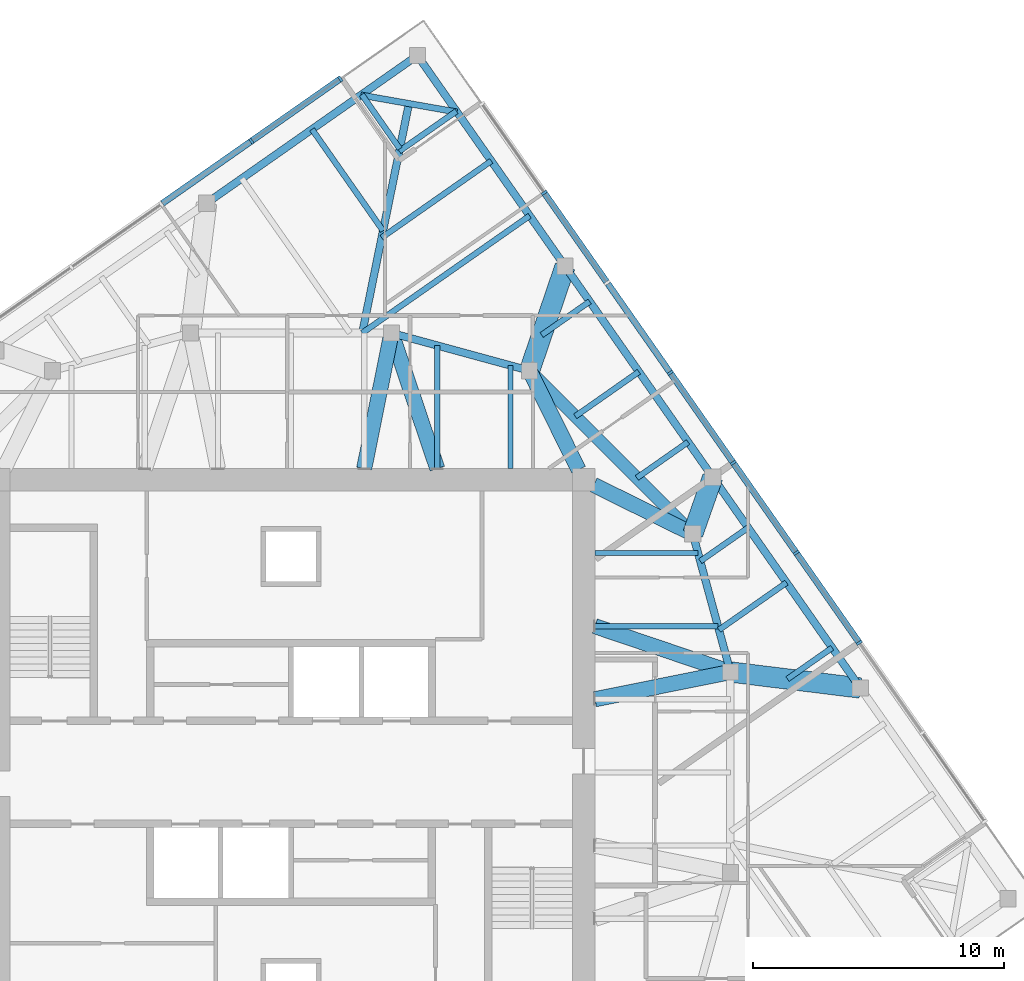
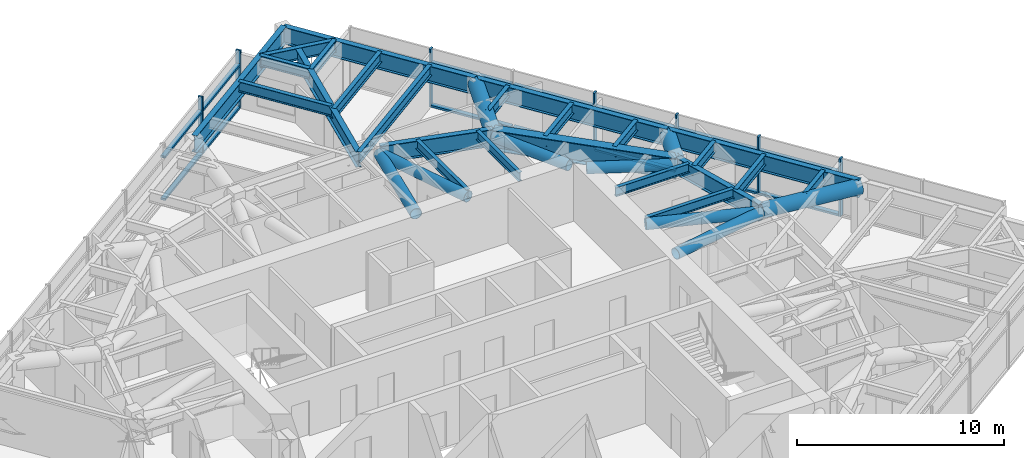
# One storey, part 6 of 15: 30 members, 24 beams, 2 elements without a shape of their own.
"""IFC4 building model written with IfcOpenShell, lengths in metres."""

import ifcopenshell
import ifcopenshell.guid

model = None  # the IFC model being written
_history = None  # IfcOwnerHistory: only IFC2X3 demands one
_inside = {}  # id of a spatial element -> (the spatial element, [elements in it])
_under = {}  # id of a project, library or spatial element -> (it, [spatial elements below it])
_declared = {}  # id of a project -> (the project, [libraries it declares])
_typed = {}  # id of a type object -> (the type object, [elements of that type])
_made_of = {}  # id of a material, layer set ... -> (it, [elements and type objects made of it])


def new_model(schema):
    """Start an empty IFC model of exactly this schema.

    Asked for "IFC4X3", IfcOpenShell would pick the latest addendum, in which some entities
    have other attributes; the version numbers below select the first issue.
    IFC2X3 requires an IfcOwnerHistory on every rooted entity: one is made here for all.
    """
    global model, _history
    if schema == "IFC4X3":
        model = ifcopenshell.file(schema_version=(4, 3, 0, 0))
    else:
        model = ifcopenshell.file(schema=schema)
    _inside.clear()
    _under.clear()
    _declared.clear()
    _typed.clear()
    _made_of.clear()
    _history = None
    if model.schema == "IFC2X3":
        org = make("IfcOrganization", Name="unknown")
        user = make(
            "IfcPersonAndOrganization",
            ThePerson=make("IfcPerson", FamilyName="unknown"),
            TheOrganization=org,
        )
        app = make(
            "IfcApplication",
            ApplicationDeveloper=org,
            Version="unknown",
            ApplicationFullName="unknown",
            ApplicationIdentifier="unknown",
        )
        _history = make(
            "IfcOwnerHistory",
            OwningUser=user,
            OwningApplication=app,
            ChangeAction="ADDED",
            CreationDate=0,
        )
    return model


def make(cls, **values):
    """One entity of the class cls with the attributes given. An attribute that is None is left unset."""
    return model.create_entity(
        cls, **{name: value for name, value in values.items() if value is not None}
    )


def rooted(cls, **values):
    """An entity with a GlobalId (a new one), such as an element, a storey or a relation."""
    return make(cls, GlobalId=ifcopenshell.guid.new(), OwnerHistory=_history, **values)


def si_unit(unit_type, name, prefix=None):
    """IfcSIUnit, for example si_unit("LENGTHUNIT", "METRE", prefix="MILLI")."""
    return make("IfcSIUnit", UnitType=unit_type, Prefix=prefix, Name=name)


def assignment(units):
    """IfcUnitAssignment: the units of a project."""
    return None if units is None else make("IfcUnitAssignment", Units=units)


def point(xyz):
    """IfcCartesianPoint."""
    return None if xyz is None else make("IfcCartesianPoint", Coordinates=xyz)


def direction(xyz):
    """IfcDirection."""
    return None if xyz is None else make("IfcDirection", DirectionRatios=xyz)


def frame(location, z_axis=None, x_axis=None):
    """IfcAxis2Placement3D, a coordinate frame: its origin and axes. An axis left out is left unset."""
    return make(
        "IfcAxis2Placement3D",
        Location=point(location),
        Axis=direction(z_axis),
        RefDirection=direction(x_axis),
    )


def frame_2d(location, x_axis=None):
    """IfcAxis2Placement2D, a coordinate frame in the plane: its origin and x axis."""
    return make(
        "IfcAxis2Placement2D", Location=point(location), RefDirection=direction(x_axis)
    )


def origin():
    """The frame at (0, 0, 0) with its axes left unset."""
    return frame((0.0, 0.0, 0.0))


def origin_2d():
    """The frame at (0, 0) in the plane with its x axis left unset."""
    return frame_2d((0.0, 0.0))


def place(relative_to, where):
    """IfcLocalPlacement: puts the frame where relative to a parent placement (None: the world)."""
    return make(
        "IfcLocalPlacement", PlacementRelTo=relative_to, RelativePlacement=where
    )


def context(
    kind, dimensions, precision=None, world=None, true_north=None, identifier=None
):
    """IfcGeometricRepresentationContext, for example the 3D "Model" context."""
    return make(
        "IfcGeometricRepresentationContext",
        ContextIdentifier=identifier,
        ContextType=kind,
        CoordinateSpaceDimension=dimensions,
        Precision=precision,
        WorldCoordinateSystem=world,
        TrueNorth=true_north,
    )


def subcontext(parent, identifier, kind, view, scale=None):
    """IfcGeometricRepresentationSubContext, for example "Body" below "Model"."""
    return make(
        "IfcGeometricRepresentationSubContext",
        ContextIdentifier=identifier,
        ContextType=kind,
        ParentContext=parent,
        TargetScale=scale,
        TargetView=view,
    )


def project(units=None, contexts=None):
    """IfcProject with its units and contexts."""
    return rooted(
        "IfcProject",
        Name="project",
        RepresentationContexts=contexts,
        UnitsInContext=assignment(units),
    )


def spatial(cls, under=None, at=None, **own):
    """A site, building, storey or space (cls), placed at a placement, below another one or the project."""
    s = rooted(cls, ObjectPlacement=at, **own)
    if under is not None:
        _under.setdefault(under.id(), (under, []))[1].append(s)
    return s


def profile(cls, at=None, kind="AREA", **sizes):
    """A parametric profile (cls). Its sizes go by their IFC names, for example OverallWidth=200.0."""
    return make(cls, ProfileType=kind, Position=at, **sizes)


def rectangle(**sizes):
    """IfcRectangleProfileDef."""
    return profile("IfcRectangleProfileDef", **sizes)


def hollow_circle(**sizes):
    """IfcCircleHollowProfileDef."""
    return profile("IfcCircleHollowProfileDef", **sizes)


def i_section(**sizes):
    """IfcIShapeProfileDef."""
    return profile("IfcIShapeProfileDef", **sizes)


def extrude(swept, where, along, depth):
    """IfcExtrudedAreaSolid: the profile swept, set in the frame where, extruded along a direction by depth."""
    return make(
        "IfcExtrudedAreaSolid",
        SweptArea=swept,
        Position=where,
        ExtrudedDirection=direction(along),
        Depth=depth,
    )


def shape(context_of_items, identifier, shape_type, items):
    """IfcShapeRepresentation: the items that make up one representation, for example the "Body"."""
    return make(
        "IfcShapeRepresentation",
        ContextOfItems=context_of_items,
        RepresentationIdentifier=identifier,
        RepresentationType=shape_type,
        Items=items,
    )


def material(Name=None, Category=None):
    """IfcMaterial."""
    return make("IfcMaterial", Name=Name, Category=Category)


def material_profile(
    of_material, cross_section, Name=None, Category=None, Priority=None
):
    """IfcMaterialProfile: a cross section and its material."""
    return make(
        "IfcMaterialProfile",
        Name=Name,
        Material=of_material,
        Profile=cross_section,
        Priority=Priority,
        Category=Category,
    )


def profile_set(profiles, Name=None, composite=None):
    """IfcMaterialProfileSet."""
    return make(
        "IfcMaterialProfileSet",
        Name=Name,
        MaterialProfiles=profiles,
        CompositeProfile=composite,
    )


def made_of(thing, what):
    """Note that an element or type object is made of a material, layer set ...; save() writes the relation."""
    if what is not None:
        _made_of.setdefault(what.id(), (what, []))[1].append(thing)
    return thing


def type_object(cls, material=None, **own):
    """A type object (cls), such as IfcWallType, which elements share."""
    return made_of(rooted(cls, **own), material)


def element(
    cls,
    number,
    at=None,
    inside=None,
    cuts=None,
    type_object=None,
    material=None,
    context=None,
    identifier="Body",
    shape_type=None,
    held_by="IfcProductDefinitionShape",
    body=None,
    shapes=None,
    **own,
):
    """One element of the class cls, such as IfcWall. Its Tag is "e" and its number.

    at: its placement. inside: the storey or other place that contains it. cuts: it is an
    opening in that element (IfcRelVoidsElement). A single representation is given by context,
    identifier, shape_type and body (its items); several are given by shapes. held_by: the class
    of the entity that holds the representations. save() writes the other relations.
    """
    e = rooted(cls, Tag="e%d" % number, ObjectPlacement=at, **own)
    if body is not None:
        shapes = [shape(context, identifier, shape_type, body)]
    if shapes is not None:
        e.Representation = make(held_by, Representations=shapes)
    if inside is not None:
        _inside.setdefault(inside.id(), (inside, []))[1].append(e)
    if cuts is not None:
        rooted(
            "IfcRelVoidsElement", RelatingBuildingElement=cuts, RelatedOpeningElement=e
        )
    if type_object is not None:
        _typed.setdefault(type_object.id(), (type_object, []))[1].append(e)
    return made_of(e, material)


def aggregate(whole, parts):
    """IfcRelAggregates: a whole, such as a stair, and the parts it consists of."""
    return rooted("IfcRelAggregates", RelatingObject=whole, RelatedObjects=parts)


def save(model, path):
    """Write the relations noted so far, then the file.

    IfcRelAggregates (storeys below a building ...), IfcRelContainedInSpatialStructure (elements
    in a storey), IfcRelDefinesByType, IfcRelAssociatesMaterial and IfcRelDeclares: one each for
    every whole, place, type object, material and project.
    """
    for whole, parts in _under.values():
        aggregate(whole, parts)
    for where, things in _inside.values():
        rooted(
            "IfcRelContainedInSpatialStructure",
            RelatedElements=things,
            RelatingStructure=where,
        )
    for kind, things in _typed.values():
        rooted("IfcRelDefinesByType", RelatedObjects=things, RelatingType=kind)
    for what, things in _made_of.values():
        rooted("IfcRelAssociatesMaterial", RelatedObjects=things, RelatingMaterial=what)
    for by, libraries in _declared.values():
        rooted("IfcRelDeclares", RelatingContext=by, RelatedDefinitions=libraries)
    model.write(path)


model = new_model("IFC4")

# Units and contexts
model_context = context("Model", 3, precision=1e-05, world=origin(), true_north=direction((0.0, 1.0)))
body_context = subcontext(model_context, "Body", "Model", "MODEL_VIEW")
ifc_project = project(units=[si_unit("LENGTHUNIT", "METRE"), si_unit("AREAUNIT", "SQUARE_METRE"), si_unit("VOLUMEUNIT", "CUBIC_METRE"), si_unit("PLANEANGLEUNIT", "RADIAN"), si_unit("MASSUNIT", "GRAM", prefix="KILO")], contexts=[model_context])

# Site, building, storey
site_placement = place(None, origin())
site = spatial("IfcSite", under=ifc_project, at=site_placement, CompositionType="ELEMENT")
building_placement = place(site_placement, origin())
building = spatial("IfcBuilding", under=site, at=building_placement, Name="Torsade Residences", CompositionType="ELEMENT")
storey_placement = place(building_placement, frame((0.0, 0.0, 264.199951171875)))
storey = spatial("IfcBuildingStorey", under=building, at=storey_placement, Name="L73", CompositionType="ELEMENT", Elevation=264.199951171875)

# Beams
ifc_material_1 = material(Name="Steel grade 300", Category="steel")
ifc_material_profile_1 = material_profile(ifc_material_1, i_section(OverallWidth=0.300048828125, OverallDepth=0.89990234375, WebThickness=0.011962890625, FlangeThickness=0.02490234375, at=origin_2d()), Name="900WB175")
ifc_profile_set_1 = profile_set([ifc_material_profile_1], Name="Steel grade 300")
beam_type_1 = type_object("IfcBeamType", Name="CORNER GIRDER 900WB175", PredefinedType="BEAM", material=ifc_profile_set_1)
beam_1_placement = place(storey_placement, frame((44.696533203125, 56.635986328125, 2.75), z_axis=(-0.199584461589, -0.979880626756, 0.0), x_axis=(0.979880626756, -0.199584461589, 0.0)))
element("IfcBeam", 1, at=beam_1_placement, inside=storey, type_object=beam_type_1, Name="Corner girder 09 L74", PredefinedType="BEAM", context=body_context, shape_type="SweptSolid", body=[
    extrude(i_section(OverallWidth=0.300048828125, OverallDepth=0.89990234375, WebThickness=0.011962890625, FlangeThickness=0.02490234375, at=origin_2d()), origin(), (0.0, 0.0, 1.0), 9.323486328125),
])
ifc_material_2 = material(Name="Steel grade 300", Category="steel")
ifc_material_profile_2 = material_profile(ifc_material_2, i_section(OverallWidth=0.25, OverallDepth=0.699951171875, WebThickness=0.010009765625, FlangeThickness=0.02001953125, at=origin_2d()), Name="700WB130")
ifc_profile_set_2 = profile_set([ifc_material_profile_2], Name="Steel grade 300")
beam_type_2 = type_object("IfcBeamType", Name="CORNER TRIMMER 700WB130", PredefinedType="BEAM", material=ifc_profile_set_2)
beam_2_placement = place(storey_placement, frame((42.78173828125, 56.9736328125, 2.85009765625), z_axis=(0.984808196894, -0.173645660267, 0.0), x_axis=(0.173645660267, 0.984808196894, 0.0)))
element("IfcBeam", 2, at=beam_2_placement, inside=storey, type_object=beam_type_2, Name="Corner trimmer 09 L74", PredefinedType="BEAM", context=body_context, shape_type="SweptSolid", body=[
    extrude(i_section(OverallWidth=0.25, OverallDepth=0.699951171875, WebThickness=0.010009765625, FlangeThickness=0.02001953125, at=origin_2d()), origin(), (0.0, 0.0, 1.0), 3.888916015625),
])

# Curtain wall, members
ifc_material_3 = material(Name="Aluminium and glass", Category="aluminium")
curtain_wall_type = type_object("IfcCurtainWallType", Name="FRITTED GLASS CURTAIN WALL HIGH ZONE", PredefinedType="NOTDEFINED", material=ifc_material_3)
curtain_wall_1_placement = place(storey_placement, origin())
curtain_wall_1 = element("IfcCurtainWall", 3, at=curtain_wall_1_placement, inside=storey, type_object=curtain_wall_type, Name="Curtain wall L73 face 4", PredefinedType="NOTDEFINED")
ifc_material_4 = material(Name="Aluminium mullion", Category="aluminium")
ifc_material_profile_3 = material_profile(ifc_material_4, rectangle(XDim=0.25, YDim=0.10009765625, at=origin_2d()), Name="HIGH ZONE CURTAIN WALL MULLION 250x100")
ifc_profile_set_3 = profile_set([ifc_material_profile_3], Name="Aluminium mullion")
member_type_1 = type_object("IfcMemberType", Name="HIGH ZONE CURTAIN WALL MULLION 250x100", PredefinedType="MULLION", material=ifc_profile_set_3)
member_1_placement = place(storey_placement, frame((62.630615234375, 35.164306640625, 0.0), z_axis=(0.0, 0.0, 1.0), x_axis=(-0.819152029353, -0.573576457682, 0.0)))
member_1 = element("IfcMember", 4, at=member_1_placement, type_object=member_type_1, Name="Mullion 3", PredefinedType="MULLION", context=body_context, shape_type="SweptSolid", body=[
    extrude(rectangle(XDim=0.25, YDim=0.10009765625, at=origin_2d()), origin(), (0.0, 0.0, 1.0), 3.400146484375),
])
member_2_placement = place(storey_placement, frame((60.12109375, 38.748046875, 0.0), z_axis=(0.0, 0.0, 1.0), x_axis=(-0.819152029353, -0.573576457682, 0.0)))
member_2 = element("IfcMember", 5, at=member_2_placement, type_object=member_type_1, Name="Mullion 4", PredefinedType="MULLION", context=body_context, shape_type="SweptSolid", body=[
    extrude(rectangle(XDim=0.25, YDim=0.10009765625, at=origin_2d()), origin(), (0.0, 0.0, 1.0), 3.400146484375),
])
member_3_placement = place(storey_placement, frame((57.61181640625, 42.331787109375, 0.0), z_axis=(0.0, 0.0, 1.0), x_axis=(-0.819152029353, -0.573576457682, 0.0)))
member_3 = element("IfcMember", 6, at=member_3_placement, type_object=member_type_1, Name="Mullion 5", PredefinedType="MULLION", context=body_context, shape_type="SweptSolid", body=[
    extrude(rectangle(XDim=0.25, YDim=0.10009765625, at=origin_2d()), origin(), (0.0, 0.0, 1.0), 3.400146484375),
])
member_4_placement = place(storey_placement, frame((55.102294921875, 45.915771484375, 0.0), z_axis=(0.0, 0.0, 1.0), x_axis=(-0.819152029353, -0.573576457682, 0.0)))
member_4 = element("IfcMember", 7, at=member_4_placement, type_object=member_type_1, Name="Mullion 6", PredefinedType="MULLION", context=body_context, shape_type="SweptSolid", body=[
    extrude(rectangle(XDim=0.25, YDim=0.10009765625, at=origin_2d()), origin(), (0.0, 0.0, 1.0), 3.400146484375),
])
member_5_placement = place(storey_placement, frame((50.08349609375, 53.083251953125, 0.0), z_axis=(0.0, 0.0, 1.0), x_axis=(-0.819152029353, -0.573576457682, 0.0)))
member_5 = element("IfcMember", 8, at=member_5_placement, type_object=member_type_1, Name="Mullion 8", PredefinedType="MULLION", context=body_context, shape_type="SweptSolid", body=[
    extrude(rectangle(XDim=0.25, YDim=0.10009765625, at=origin_2d()), origin(), (0.0, 0.0, 1.0), 3.400146484375),
])

curtain_wall_2_placement = place(storey_placement, origin())
curtain_wall_2 = element("IfcCurtainWall", 9, at=curtain_wall_2_placement, inside=storey, type_object=curtain_wall_type, Name="Curtain wall L73 face 7", PredefinedType="NOTDEFINED")
member_6_placement = place(storey_placement, frame((41.96240234375, 57.62060546875, 0.0), z_axis=(0.0, 0.0, 1.0), x_axis=(0.573576457682, -0.819152029353, 0.0)))
member_6 = element("IfcMember", 10, at=member_6_placement, type_object=member_type_1, Name="Mullion 1", PredefinedType="MULLION", context=body_context, shape_type="SweptSolid", body=[
    extrude(rectangle(XDim=0.25, YDim=0.10009765625, at=origin_2d()), origin(), (0.0, 0.0, 1.0), 3.400146484375),
])
member_7_placement = place(storey_placement, frame((38.41943359375, 55.139892578125, 0.0), z_axis=(0.0, 0.0, 1.0), x_axis=(0.573576457682, -0.819152029353, 0.0)))
member_7 = element("IfcMember", 11, at=member_7_placement, type_object=member_type_1, Name="Mullion 2", PredefinedType="MULLION", context=body_context, shape_type="SweptSolid", body=[
    extrude(rectangle(XDim=0.25, YDim=0.10009765625, at=origin_2d()), origin(), (0.0, 0.0, 1.0), 3.400146484375),
])

# Member
ifc_material_5 = material(Name="Aluminium transom", Category="aluminium")
ifc_material_profile_4 = material_profile(ifc_material_5, rectangle(XDim=0.25, YDim=0.1201171875, at=origin_2d()), Name="HIGH ZONE CURTAIN WALL TRANSOM 250x120")
ifc_profile_set_4 = profile_set([ifc_material_profile_4], Name="Aluminium transom")
member_type_2 = type_object("IfcMemberType", Name="HIGH ZONE CURTAIN WALL TRANSOM 250x120", PredefinedType="USERDEFINED", material=ifc_profile_set_4)
member_8_placement = place(storey_placement, frame((62.601806640625, 35.205322265625, 0.06005859375), z_axis=(-0.573573496219, 0.819154102984, 0.0), x_axis=(-0.819154102984, -0.573573496219, 0.0)))
member_8 = element("IfcMember", 12, at=member_8_placement, type_object=member_type_2, Name="Transom 3.1", ObjectType="TRANSOM", PredefinedType="USERDEFINED", context=body_context, shape_type="SweptSolid", body=[
    extrude(rectangle(XDim=0.25, YDim=0.1201171875, at=origin_2d()), origin(), (0.0, 0.0, 1.0), 4.27490234375),
])

member_9_placement = place(storey_placement, frame((62.601806640625, 35.205322265625, 2.56005859375), z_axis=(-0.573573496219, 0.819154102984, 0.0), x_axis=(-0.819154102984, -0.573573496219, 0.0)))
member_9 = element("IfcMember", 13, at=member_9_placement, type_object=member_type_2, Name="Transom 3.2", ObjectType="TRANSOM", PredefinedType="USERDEFINED", context=body_context, shape_type="SweptSolid", body=[
    extrude(rectangle(XDim=0.25, YDim=0.1201171875, at=origin_2d()), origin(), (0.0, 0.0, 1.0), 4.27490234375),
])

member_10_placement = place(storey_placement, frame((60.092529296875, 38.7890625, 0.06005859375), z_axis=(-0.57358498433, 0.819146058863, 0.0), x_axis=(-0.819146058863, -0.57358498433, 0.0)))
member_10 = element("IfcMember", 14, at=member_10_placement, type_object=member_type_2, Name="Transom 4.1", ObjectType="TRANSOM", PredefinedType="USERDEFINED", context=body_context, shape_type="SweptSolid", body=[
    extrude(rectangle(XDim=0.25, YDim=0.1201171875, at=origin_2d()), origin(), (0.0, 0.0, 1.0), 4.275146484375),
])

member_11_placement = place(storey_placement, frame((60.092529296875, 38.7890625, 2.56005859375), z_axis=(-0.57358498433, 0.819146058863, 0.0), x_axis=(-0.819146058863, -0.57358498433, 0.0)))
member_11 = element("IfcMember", 15, at=member_11_placement, type_object=member_type_2, Name="Transom 4.2", ObjectType="TRANSOM", PredefinedType="USERDEFINED", context=body_context, shape_type="SweptSolid", body=[
    extrude(rectangle(XDim=0.25, YDim=0.1201171875, at=origin_2d()), origin(), (0.0, 0.0, 1.0), 4.275146484375),
])

member_12_placement = place(storey_placement, frame((57.5830078125, 42.372802734375, 0.06005859375), z_axis=(-0.573546663483, 0.81917289067, 0.0), x_axis=(-0.81917289067, -0.573546663483, 0.0)))
member_12 = element("IfcMember", 16, at=member_12_placement, type_object=member_type_2, Name="Transom 5.1", ObjectType="TRANSOM", PredefinedType="USERDEFINED", context=body_context, shape_type="SweptSolid", body=[
    extrude(rectangle(XDim=0.25, YDim=0.1201171875, at=origin_2d()), origin(), (0.0, 0.0, 1.0), 4.27490234375),
])

member_13_placement = place(storey_placement, frame((57.5830078125, 42.372802734375, 2.56005859375), z_axis=(-0.573546663483, 0.81917289067, 0.0), x_axis=(-0.81917289067, -0.573546663483, 0.0)))
member_13 = element("IfcMember", 17, at=member_13_placement, type_object=member_type_2, Name="Transom 5.2", ObjectType="TRANSOM", PredefinedType="USERDEFINED", context=body_context, shape_type="SweptSolid", body=[
    extrude(rectangle(XDim=0.25, YDim=0.1201171875, at=origin_2d()), origin(), (0.0, 0.0, 1.0), 4.27490234375),
])

member_14_placement = place(storey_placement, frame((55.07373046875, 45.95654296875, 0.06005859375), z_axis=(-0.57358498433, 0.819146058863, 0.0), x_axis=(-0.819146058863, -0.57358498433, 0.0)))
member_14 = element("IfcMember", 18, at=member_14_placement, type_object=member_type_2, Name="Transom 6.1", ObjectType="TRANSOM", PredefinedType="USERDEFINED", context=body_context, shape_type="SweptSolid", body=[
    extrude(rectangle(XDim=0.25, YDim=0.1201171875, at=origin_2d()), origin(), (0.0, 0.0, 1.0), 4.275146484375),
])

member_15_placement = place(storey_placement, frame((55.07373046875, 45.95654296875, 2.56005859375), z_axis=(-0.57358498433, 0.819146058863, 0.0), x_axis=(-0.819146058863, -0.57358498433, 0.0)))
member_15 = element("IfcMember", 19, at=member_15_placement, type_object=member_type_2, Name="Transom 6.2", ObjectType="TRANSOM", PredefinedType="USERDEFINED", context=body_context, shape_type="SweptSolid", body=[
    extrude(rectangle(XDim=0.25, YDim=0.1201171875, at=origin_2d()), origin(), (0.0, 0.0, 1.0), 4.275146484375),
])

member_16_placement = place(storey_placement, frame((52.564208984375, 49.54052734375, 0.06005859375), z_axis=(-0.573573496219, 0.819154102984, 0.0), x_axis=(-0.819154102984, -0.573573496219, 0.0)))
member_16 = element("IfcMember", 20, at=member_16_placement, type_object=member_type_2, Name="Transom 7.1", ObjectType="TRANSOM", PredefinedType="USERDEFINED", context=body_context, shape_type="SweptSolid", body=[
    extrude(rectangle(XDim=0.25, YDim=0.1201171875, at=origin_2d()), origin(), (0.0, 0.0, 1.0), 4.27490234375),
])

member_17_placement = place(storey_placement, frame((52.564208984375, 49.54052734375, 2.56005859375), z_axis=(-0.573573496219, 0.819154102984, 0.0), x_axis=(-0.819154102984, -0.573573496219, 0.0)))
member_17 = element("IfcMember", 21, at=member_17_placement, type_object=member_type_2, Name="Transom 7.2", ObjectType="TRANSOM", PredefinedType="USERDEFINED", context=body_context, shape_type="SweptSolid", body=[
    extrude(rectangle(XDim=0.25, YDim=0.1201171875, at=origin_2d()), origin(), (0.0, 0.0, 1.0), 4.27490234375),
])

aggregate(curtain_wall_1, [member_1, member_2, member_3, member_4, member_5, member_8, member_9, member_10, member_11, member_12, member_13, member_14, member_15, member_16, member_17])

member_18_placement = place(storey_placement, frame((41.92138671875, 57.592041015625, 0.06005859375), z_axis=(-0.819155901234, -0.573570928023, 0.0), x_axis=(0.573570928023, -0.819155901234, 0.0)))
member_18 = element("IfcMember", 22, at=member_18_placement, type_object=member_type_2, Name="Transom 1.1", ObjectType="TRANSOM", PredefinedType="USERDEFINED", context=body_context, shape_type="SweptSolid", body=[
    extrude(rectangle(XDim=0.25, YDim=0.1201171875, at=origin_2d()), origin(), (0.0, 0.0, 1.0), 4.22509765625),
])

member_19_placement = place(storey_placement, frame((41.92138671875, 57.592041015625, 2.56005859375), z_axis=(-0.819155901234, -0.573570928023, 0.0), x_axis=(0.573570928023, -0.819155901234, 0.0)))
member_19 = element("IfcMember", 23, at=member_19_placement, type_object=member_type_2, Name="Transom 1.2", ObjectType="TRANSOM", PredefinedType="USERDEFINED", context=body_context, shape_type="SweptSolid", body=[
    extrude(rectangle(XDim=0.25, YDim=0.1201171875, at=origin_2d()), origin(), (0.0, 0.0, 1.0), 4.22509765625),
])

member_20_placement = place(storey_placement, frame((38.37841796875, 55.111328125, 0.06005859375), z_axis=(-0.819127269283, -0.573611817101, 0.0), x_axis=(0.573611817101, -0.819127269283, 0.0)))
member_20 = element("IfcMember", 24, at=member_20_placement, type_object=member_type_2, Name="Transom 2.1", ObjectType="TRANSOM", PredefinedType="USERDEFINED", context=body_context, shape_type="SweptSolid", body=[
    extrude(rectangle(XDim=0.25, YDim=0.1201171875, at=origin_2d()), origin(), (0.0, 0.0, 1.0), 4.27490234375),
])

member_21_placement = place(storey_placement, frame((38.37841796875, 55.111328125, 2.56005859375), z_axis=(-0.819127269283, -0.573611817101, 0.0), x_axis=(0.573611817101, -0.819127269283, 0.0)))
member_21 = element("IfcMember", 25, at=member_21_placement, type_object=member_type_2, Name="Transom 2.2", ObjectType="TRANSOM", PredefinedType="USERDEFINED", context=body_context, shape_type="SweptSolid", body=[
    extrude(rectangle(XDim=0.25, YDim=0.1201171875, at=origin_2d()), origin(), (0.0, 0.0, 1.0), 4.27490234375),
])

aggregate(curtain_wall_2, [member_6, member_7, member_18, member_19, member_20, member_21])

# Beams
ifc_material_6 = material(Name="Steel grade 300", Category="steel")
ifc_material_profile_5 = material_profile(ifc_material_6, i_section(OverallWidth=0.208984375, OverallDepth=0.528076171875, WebThickness=0.009521484375, FlangeThickness=0.01318359375, FilletRadius=0.013916015625, at=origin_2d()), Name="530UB82.0")
ifc_profile_set_5 = profile_set([ifc_material_profile_5], Name="Steel grade 300")
beam_type_3 = type_object("IfcBeamType", Name="INNER FLOOR BEAM 530UB82.0", PredefinedType="JOIST", material=ifc_profile_set_5)
beam_3_placement = place(storey_placement, frame((45.824951171875, 42.10009765625, 2.93603515625), z_axis=(0.0, 1.0, 0.0), x_axis=(-1.0, 0.0, 0.0)))
element("IfcBeam", 26, at=beam_3_placement, inside=storey, type_object=beam_type_3, Name="Inner floor beam IN06 L74", PredefinedType="JOIST", context=body_context, shape_type="SweptSolid", body=[
    extrude(i_section(OverallWidth=0.208984375, OverallDepth=0.528076171875, WebThickness=0.009521484375, FlangeThickness=0.01318359375, FilletRadius=0.013916015625, at=origin_2d()), origin(), (0.0, 0.0, 1.0), 4.902099609375),
])
beam_4_placement = place(storey_placement, frame((48.737548828125, 42.10009765625, 2.93603515625), z_axis=(0.0, 1.0, 0.0), x_axis=(-1.0, 0.0, 0.0)))
element("IfcBeam", 27, at=beam_4_placement, inside=storey, type_object=beam_type_3, Name="Inner floor beam IN07 L74", PredefinedType="JOIST", context=body_context, shape_type="SweptSolid", body=[
    extrude(i_section(OverallWidth=0.208984375, OverallDepth=0.528076171875, WebThickness=0.009521484375, FlangeThickness=0.01318359375, FilletRadius=0.013916015625, at=origin_2d()), origin(), (0.0, 0.0, 1.0), 4.10791015625),
])
beam_5_placement = place(storey_placement, frame((52.10009765625, 35.824951171875, 2.93603515625), z_axis=(1.0, 0.0, 0.0), x_axis=(0.0, 1.0, 0.0)))
element("IfcBeam", 28, at=beam_5_placement, inside=storey, type_object=beam_type_3, Name="Inner floor beam IE06 L74", PredefinedType="JOIST", context=body_context, shape_type="SweptSolid", body=[
    extrude(i_section(OverallWidth=0.208984375, OverallDepth=0.528076171875, WebThickness=0.009521484375, FlangeThickness=0.01318359375, FilletRadius=0.013916015625, at=origin_2d()), origin(), (0.0, 0.0, 1.0), 4.902099609375),
])
beam_6_placement = place(storey_placement, frame((52.10009765625, 38.737548828125, 2.93603515625), z_axis=(1.0, 0.0, 0.0), x_axis=(0.0, 1.0, 0.0)))
element("IfcBeam", 29, at=beam_6_placement, inside=storey, type_object=beam_type_3, Name="Inner floor beam IE07 L74", PredefinedType="JOIST", context=body_context, shape_type="SweptSolid", body=[
    extrude(i_section(OverallWidth=0.208984375, OverallDepth=0.528076171875, WebThickness=0.009521484375, FlangeThickness=0.01318359375, FilletRadius=0.013916015625, at=origin_2d()), origin(), (0.0, 0.0, 1.0), 4.10791015625),
])
ifc_material_7 = material(Name="Steel grade 300", Category="steel")
ifc_material_profile_6 = material_profile(ifc_material_7, i_section(OverallWidth=0.5, OverallDepth=1.199951171875, WebThickness=0.01611328125, FlangeThickness=0.0400390625, at=origin_2d()), Name="1200WB455")
ifc_profile_set_6 = profile_set([ifc_material_profile_6], Name="Steel grade 300")
beam_type_4 = type_object("IfcBeamType", Name="RING CORNER GIRDER 1200WB455", PredefinedType="BEAM", material=ifc_profile_set_6)
beam_7_placement = place(storey_placement, frame((56.0, 39.5, 2.60009765625), z_axis=(-0.707106781187, 0.707106781187, 0.0), x_axis=(-0.707106781187, -0.707106781187, 0.0)))
element("IfcBeam", 30, at=beam_7_placement, inside=storey, type_object=beam_type_4, Name="Ring girder IR03 L74", PredefinedType="BEAM", context=body_context, shape_type="SweptSolid", body=[
    extrude(i_section(OverallWidth=0.5, OverallDepth=1.199951171875, WebThickness=0.01611328125, FlangeThickness=0.0400390625, at=origin_2d()), origin(), (0.0, 0.0, 1.0), 9.1923828125),
])
ifc_material_8 = material(Name="Steel grade 300", Category="steel")
ifc_material_profile_7 = material_profile(ifc_material_8, i_section(OverallWidth=0.300048828125, OverallDepth=1.0, WebThickness=0.01611328125, FlangeThickness=0.028076171875, at=origin_2d()), Name="1000WB215")
ifc_profile_set_7 = profile_set([ifc_material_profile_7], Name="Steel grade 300")
beam_type_5 = type_object("IfcBeamType", Name="RING GIRDER 1000WB215", PredefinedType="BEAM", material=ifc_profile_set_7)
for number, where, z_axis, x_axis, name in (
    (31, (57.5, 34.0, 2.699951171875), (-0.263117405792, 0.964763821238, 0.0), (-0.964763821238, -0.263117405792, 0.0), "Ring girder IR02 L74"),
    (32, (49.5, 46.0, 2.699951171875), (-0.964763821238, 0.263117405792, 0.0), (-0.263117405792, -0.964763821238, 0.0), "Ring girder IR04 L74"),
):
    element("IfcBeam", number, at=place(storey_placement, frame(where, z_axis=z_axis, x_axis=x_axis)), inside=storey, type_object=beam_type_5, Name=name, PredefinedType="BEAM", context=body_context, shape_type="SweptSolid", body=[
        extrude(i_section(OverallWidth=0.300048828125, OverallDepth=1.0, WebThickness=0.01611328125, FlangeThickness=0.028076171875, at=origin_2d()), origin(), (0.0, 0.0, 1.0), 5.700927734375),
    ])
ifc_material_9 = material(Name="Steel grade 300", Category="steel")
ifc_material_profile_8 = material_profile(ifc_material_9, i_section(OverallWidth=0.22900390625, OverallDepth=0.612060546875, WebThickness=0.011962890625, FlangeThickness=0.01953125, FilletRadius=0.013916015625, at=origin_2d()), Name="610UB125")
ifc_profile_set_8 = profile_set([ifc_material_profile_8], Name="Steel grade 300")
beam_type_6 = type_object("IfcBeamType", Name="SECONDARY BEAM 610UB125", PredefinedType="JOIST", material=ifc_profile_set_8)
beam_8_placement = place(storey_placement, frame((61.548583984375, 34.966064453125, 2.89404296875), z_axis=(-0.819194959058, -0.573515142828, 0.0), x_axis=(0.573515142828, -0.819194959058, 0.0)))
element("IfcBeam", 33, at=beam_8_placement, inside=storey, type_object=beam_type_6, Name="Floor beam FE04 L74", PredefinedType="JOIST", context=body_context, shape_type="SweptSolid", body=[
    extrude(i_section(OverallWidth=0.22900390625, OverallDepth=0.612060546875, WebThickness=0.011962890625, FlangeThickness=0.01953125, FilletRadius=0.013916015625, at=origin_2d()), origin(), (0.0, 0.0, 1.0), 2.17236328125),
])
beam_9_placement = place(storey_placement, frame((59.732177734375, 37.56005859375, 2.89404296875), z_axis=(-0.819169032504, -0.573552173902, 0.0), x_axis=(0.573552173902, -0.819169032504, 0.0)))
element("IfcBeam", 34, at=beam_9_placement, inside=storey, type_object=beam_type_6, Name="Floor beam FE05 L74", PredefinedType="JOIST", context=body_context, shape_type="SweptSolid", body=[
    extrude(i_section(OverallWidth=0.22900390625, OverallDepth=0.612060546875, WebThickness=0.011962890625, FlangeThickness=0.01953125, FilletRadius=0.013916015625, at=origin_2d()), origin(), (0.0, 0.0, 1.0), 3.283203125),
])
beam_10_placement = place(storey_placement, frame((58.20263671875, 39.74462890625, 2.89404296875), z_axis=(-0.819157953557, -0.573567996949, 0.0), x_axis=(0.573567996949, -0.819157953557, 0.0)))
element("IfcBeam", 35, at=beam_10_placement, inside=storey, type_object=beam_type_6, Name="Floor beam FE06 L74", PredefinedType="JOIST", context=body_context, shape_type="SweptSolid", body=[
    extrude(i_section(OverallWidth=0.22900390625, OverallDepth=0.612060546875, WebThickness=0.011962890625, FlangeThickness=0.01953125, FilletRadius=0.013916015625, at=origin_2d()), origin(), (0.0, 0.0, 1.0), 2.326171875),
])
beam_11_placement = place(storey_placement, frame((55.812744140625, 43.15771484375, 2.89404296875), z_axis=(-0.819172078752, -0.573547823109, 0.0), x_axis=(0.573547823109, -0.819172078752, 0.0)))
element("IfcBeam", 36, at=beam_11_placement, inside=storey, type_object=beam_type_6, Name="Floor beam FE07 L74", PredefinedType="JOIST", context=body_context, shape_type="SweptSolid", body=[
    extrude(i_section(OverallWidth=0.22900390625, OverallDepth=0.612060546875, WebThickness=0.011962890625, FlangeThickness=0.01953125, FilletRadius=0.013916015625, at=origin_2d()), origin(), (0.0, 0.0, 1.0), 2.491943359375),
])
beam_12_placement = place(storey_placement, frame((53.85302734375, 45.95654296875, 2.89404296875), z_axis=(-0.819135534955, -0.573600013401, 0.0), x_axis=(0.573600013401, -0.819135534955, 0.0)))
element("IfcBeam", 37, at=beam_12_placement, inside=storey, type_object=beam_type_6, Name="Floor beam FE08 L74", PredefinedType="JOIST", context=body_context, shape_type="SweptSolid", body=[
    extrude(i_section(OverallWidth=0.22900390625, OverallDepth=0.612060546875, WebThickness=0.011962890625, FlangeThickness=0.01953125, FilletRadius=0.013916015625, at=origin_2d()), origin(), (0.0, 0.0, 1.0), 3.09423828125),
])
beam_13_placement = place(storey_placement, frame((51.893310546875, 48.755126953125, 2.89404296875), z_axis=(-0.819163087535, -0.573560664637, 0.0), x_axis=(0.573560664637, -0.819163087535, 0.0)))
element("IfcBeam", 38, at=beam_13_placement, inside=storey, type_object=beam_type_6, Name="Floor beam FE09 L74", PredefinedType="JOIST", context=body_context, shape_type="SweptSolid", body=[
    extrude(i_section(OverallWidth=0.22900390625, OverallDepth=0.612060546875, WebThickness=0.011962890625, FlangeThickness=0.01953125, FilletRadius=0.013916015625, at=origin_2d()), origin(), (0.0, 0.0, 1.0), 2.3330078125),
])
beam_14_placement = place(storey_placement, frame((49.50341796875, 52.16845703125, 2.89404296875), z_axis=(-0.819151588523, -0.573577087251, 0.0), x_axis=(0.573577087251, -0.819151588523, 0.0)))
element("IfcBeam", 39, at=beam_14_placement, inside=storey, type_object=beam_type_6, Name="Floor beam FE10 L74", PredefinedType="JOIST", context=body_context, shape_type="SweptSolid", body=[
    extrude(i_section(OverallWidth=0.22900390625, OverallDepth=0.612060546875, WebThickness=0.011962890625, FlangeThickness=0.01953125, FilletRadius=0.013916015625, at=origin_2d()), origin(), (0.0, 0.0, 1.0), 8.13916015625),
])
beam_15_placement = place(storey_placement, frame((47.973876953125, 54.352783203125, 2.89404296875), z_axis=(-0.819137197966, -0.573597638513, 0.0), x_axis=(0.573597638513, -0.819137197966, 0.0)))
element("IfcBeam", 40, at=beam_15_placement, inside=storey, type_object=beam_type_6, Name="Floor beam FE11 L74", PredefinedType="JOIST", context=body_context, shape_type="SweptSolid", body=[
    extrude(i_section(OverallWidth=0.22900390625, OverallDepth=0.612060546875, WebThickness=0.011962890625, FlangeThickness=0.01953125, FilletRadius=0.013916015625, at=origin_2d()), origin(), (0.0, 0.0, 1.0), 5.328369140625),
])
beam_16_placement = place(storey_placement, frame((46.587646484375, 56.332275390625, 2.89404296875), z_axis=(-0.819190669238, -0.573521270253, 0.0), x_axis=(0.573521270253, -0.819190669238, 0.0)))
element("IfcBeam", 41, at=beam_16_placement, inside=storey, type_object=beam_type_6, Name="Floor beam FE12 L74", PredefinedType="JOIST", context=body_context, shape_type="SweptSolid", body=[
    extrude(i_section(OverallWidth=0.22900390625, OverallDepth=0.612060546875, WebThickness=0.011962890625, FlangeThickness=0.01953125, FilletRadius=0.013916015625, at=origin_2d()), origin(), (0.0, 0.0, 1.0), 2.780517578125),
])
beam_17_placement = place(storey_placement, frame((42.815673828125, 56.99755859375, 2.89404296875), z_axis=(0.573592685254, -0.819140666445, 0.0), x_axis=(0.819140666445, 0.573592685254, 0.0)))
element("IfcBeam", 42, at=beam_17_placement, inside=storey, type_object=beam_type_6, Name="Floor beam FN01 L74", PredefinedType="JOIST", context=body_context, shape_type="SweptSolid", body=[
    extrude(i_section(OverallWidth=0.22900390625, OverallDepth=0.612060546875, WebThickness=0.011962890625, FlangeThickness=0.01953125, FilletRadius=0.013916015625, at=origin_2d()), origin(), (0.0, 0.0, 1.0), 2.639892578125),
])
beam_18_placement = place(storey_placement, frame((40.836181640625, 55.611328125, 2.89404296875), z_axis=(0.573575295634, -0.819152843027, 0.0), x_axis=(0.819152843027, 0.573575295634, 0.0)))
element("IfcBeam", 43, at=beam_18_placement, inside=storey, type_object=beam_type_6, Name="Floor beam FN02 L74", PredefinedType="JOIST", context=body_context, shape_type="SweptSolid", body=[
    extrude(i_section(OverallWidth=0.22900390625, OverallDepth=0.612060546875, WebThickness=0.011962890625, FlangeThickness=0.01953125, FilletRadius=0.013916015625, at=origin_2d()), origin(), (0.0, 0.0, 1.0), 4.931884765625),
])

# Members
ifc_material_10 = material(Name="Steel grade 450", Category="steel")
ifc_material_profile_9 = material_profile(ifc_material_10, hollow_circle(Radius=0.304931640625, WallThickness=0.01611328125, at=origin_2d()), Name="610.0x16.0CHS")
ifc_profile_set_9 = profile_set([ifc_material_profile_9], Name="Steel grade 450")
member_type_3 = type_object("IfcMemberType", Name="TRANSFER FLOOR BRACE 610.0x16.0CHS", PredefinedType="BRACE", material=ifc_profile_set_9)
member_22_placement = place(storey_placement, frame((57.5, 34.0, 2.699951171875), z_axis=(-0.980200740375, -0.197387381211, 0.015643858457), x_axis=(0.197411538983, -0.980320704809, 0.0)))
element("IfcMember", 44, at=member_22_placement, inside=storey, type_object=member_type_3, Name="Transfer floor brace TT8 bottom IR02IE05", PredefinedType="BRACE", context=body_context, shape_type="SweptSolid", body=[
    extrude(hollow_circle(Radius=0.304931640625, WallThickness=0.01611328125, at=origin_2d()), origin(), (0.0, 0.0, 1.0), 5.509033203125),
])
member_23_placement = place(storey_placement, frame((57.5, 34.0, 2.699951171875), z_axis=(-0.947251883503, 0.320133277384, 0.015117999588), x_axis=(-0.320169867513, -0.947360151124, 0.0)))
element("IfcMember", 45, at=member_23_placement, inside=storey, type_object=member_type_3, Name="Transfer floor brace TT8 bottom IR02IE06", PredefinedType="BRACE", context=body_context, shape_type="SweptSolid", body=[
    extrude(hollow_circle(Radius=0.304931640625, WallThickness=0.01611328125, at=origin_2d()), origin(), (0.0, 0.0, 1.0), 5.70068359375),
])
for number, where, z_axis, x_axis, name in (
    (46, (56.0, 39.5, 2.699951171875), (-0.896469701914, 0.443105036702, 0.0), (-0.443105036702, -0.896469701914, 0.0), "Transfer floor brace TT8 bottom IR03C"),
    (47, (49.5, 46.0, 2.699951171875), (0.443105036702, -0.896469701914, 0.0), (0.896469701914, 0.443105036702, 0.0), "Transfer floor brace TT8 bottom IR04C"),
):
    element("IfcMember", number, at=place(storey_placement, frame(where, z_axis=z_axis, x_axis=x_axis)), inside=storey, type_object=member_type_3, Name=name, PredefinedType="BRACE", context=body_context, shape_type="SweptSolid", body=[
        extrude(hollow_circle(Radius=0.304931640625, WallThickness=0.01611328125, at=origin_2d()), origin(), (0.0, 0.0, 1.0), 4.40234375),
    ])
member_24_placement = place(storey_placement, frame((44.0, 47.5, 2.699951171875), z_axis=(-0.197387381211, -0.980200740375, 0.015643858457), x_axis=(0.980320704809, -0.197411538983, 0.0)))
element("IfcMember", 48, at=member_24_placement, inside=storey, type_object=member_type_3, Name="Transfer floor brace TT8 bottom IR05IN05", PredefinedType="BRACE", context=body_context, shape_type="SweptSolid", body=[
    extrude(hollow_circle(Radius=0.304931640625, WallThickness=0.01611328125, at=origin_2d()), origin(), (0.0, 0.0, 1.0), 5.509033203125),
])
member_25_placement = place(storey_placement, frame((44.0, 47.5, 2.699951171875), z_axis=(0.320133277384, -0.947251883503, 0.015117999588), x_axis=(0.947360151124, 0.320169867513, 0.0)))
element("IfcMember", 49, at=member_25_placement, inside=storey, type_object=member_type_3, Name="Transfer floor brace TT8 bottom IR05IN06", PredefinedType="BRACE", context=body_context, shape_type="SweptSolid", body=[
    extrude(hollow_circle(Radius=0.304931640625, WallThickness=0.01611328125, at=origin_2d()), origin(), (0.0, 0.0, 1.0), 5.70068359375),
])
ifc_material_11 = material(Name="Steel grade 450", Category="steel")
ifc_material_profile_10 = material_profile(ifc_material_11, hollow_circle(Radius=0.406494140625, WallThickness=0.02490234375, at=origin_2d()), Name="813.0x25.0CHS")
ifc_profile_set_10 = profile_set([ifc_material_profile_10], Name="Steel grade 450")
member_type_4 = type_object("IfcMemberType", Name="TRANSFER FLOOR STRUT 813.0x25.0CHS", PredefinedType="STRUT", material=ifc_profile_set_10)
member_26_placement = place(storey_placement, frame((62.671875, 33.362060546875, 2.798583984375), z_axis=(-0.992478380214, 0.122420034342, 0.0), x_axis=(-0.122420034342, -0.992478380214, 0.0)))
element("IfcMember", 50, at=member_26_placement, inside=storey, type_object=member_type_4, Name="Transfer floor strut TT8 bottom 06IR02", PredefinedType="STRUT", context=body_context, shape_type="SweptSolid", body=[
    extrude(hollow_circle(Radius=0.406494140625, WallThickness=0.02490234375, at=origin_2d()), origin(), (0.0, 0.0, 1.0), 5.211181640625),
])
member_27_placement = place(storey_placement, frame((56.792724609375, 41.75830078125, 2.798583984375), z_axis=(-0.331213589274, -0.943555805599, 0.0), x_axis=(0.943555805599, -0.331213589274, 0.0)))
element("IfcMember", 51, at=member_27_placement, inside=storey, type_object=member_type_4, Name="Transfer floor strut TT8 bottom 07IR03", PredefinedType="STRUT", context=body_context, shape_type="SweptSolid", body=[
    extrude(hollow_circle(Radius=0.406494140625, WallThickness=0.02490234375, at=origin_2d()), origin(), (0.0, 0.0, 1.0), 2.393310546875),
])
member_28_placement = place(storey_placement, frame((50.91357421875, 50.154541015625, 2.798583984375), z_axis=(-0.322113167985, -0.946701170915, 0.0), x_axis=(0.946701170915, -0.322113167985, 0.0)))
element("IfcMember", 52, at=member_28_placement, inside=storey, type_object=member_type_4, Name="Transfer floor strut TT8 bottom 08IR04", PredefinedType="STRUT", context=body_context, shape_type="SweptSolid", body=[
    extrude(hollow_circle(Radius=0.406494140625, WallThickness=0.02490234375, at=origin_2d()), origin(), (0.0, 0.0, 1.0), 4.388427734375),
])

# Beams
ifc_material_12 = material(Name="Steel grade 300", Category="steel")
ifc_material_profile_11 = material_profile(ifc_material_12, i_section(OverallWidth=0.300048828125, OverallDepth=1.0, WebThickness=0.01611328125, FlangeThickness=0.028076171875, at=origin_2d()), Name="1000WB215")
ifc_profile_set_11 = profile_set([ifc_material_profile_11], Name="Steel grade 300")
beam_type_7 = type_object("IfcBeamType", Name="TRANSFER TRUSS CHORD 1000WB215", PredefinedType="USERDEFINED", material=ifc_profile_set_11)
for number, where, z_axis, x_axis, name in (
    (53, (62.671875, 33.362060546875, 2.699951171875), (-0.573579034377, 0.819150225126, 0.0), (-0.819150225126, -0.573579034377, 0.0), "Transfer truss TT8 bottom chord 06"),
    (54, (56.792724609375, 41.75830078125, 2.699951171875), (-0.573579034377, 0.819150225126, 0.0), (-0.819150225126, -0.573579034377, 0.0), "Transfer truss TT8 bottom chord 07"),
):
    element("IfcBeam", number, at=place(storey_placement, frame(where, z_axis=z_axis, x_axis=x_axis)), inside=storey, type_object=beam_type_7, Name=name, ObjectType="TRANSFER TRUSS CHORD", PredefinedType="USERDEFINED", context=body_context, shape_type="SweptSolid", body=[
        extrude(i_section(OverallWidth=0.300048828125, OverallDepth=1.0, WebThickness=0.01611328125, FlangeThickness=0.028076171875, at=origin_2d()), origin(), (0.0, 0.0, 1.0), 10.25),
    ])
beam_19_placement = place(storey_placement, frame((50.91357421875, 50.154541015625, 2.699951171875), z_axis=(-0.573583825578, 0.819146870247, 0.0), x_axis=(-0.819146870247, -0.573583825578, 0.0)))
element("IfcBeam", 55, at=beam_19_placement, inside=storey, type_object=beam_type_7, Name="Transfer truss TT8 bottom chord 08", ObjectType="TRANSFER TRUSS CHORD", PredefinedType="USERDEFINED", context=body_context, shape_type="SweptSolid", body=[
    extrude(i_section(OverallWidth=0.300048828125, OverallDepth=1.0, WebThickness=0.01611328125, FlangeThickness=0.028076171875, at=origin_2d()), origin(), (0.0, 0.0, 1.0), 10.250244140625),
])
beam_20_placement = place(storey_placement, frame((45.0341796875, 58.551025390625, 2.699951171875), z_axis=(-0.819150225126, -0.573579034377, 0.0), x_axis=(0.573579034377, -0.819150225126, 0.0)))
element("IfcBeam", 56, at=beam_20_placement, inside=storey, type_object=beam_type_7, Name="Transfer truss TT8 bottom chord 09", ObjectType="TRANSFER TRUSS CHORD", PredefinedType="USERDEFINED", context=body_context, shape_type="SweptSolid", body=[
    extrude(i_section(OverallWidth=0.300048828125, OverallDepth=1.0, WebThickness=0.01611328125, FlangeThickness=0.028076171875, at=origin_2d()), origin(), (0.0, 0.0, 1.0), 10.25),
])

save(model, "model.ifc")
